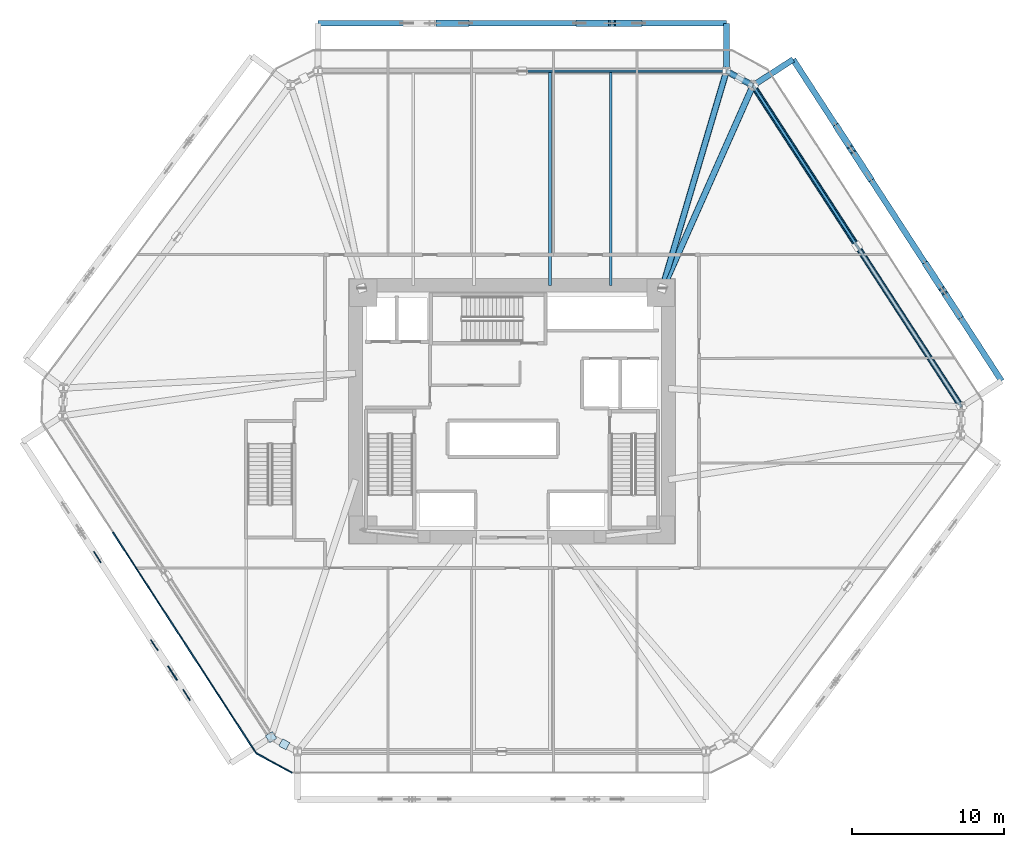
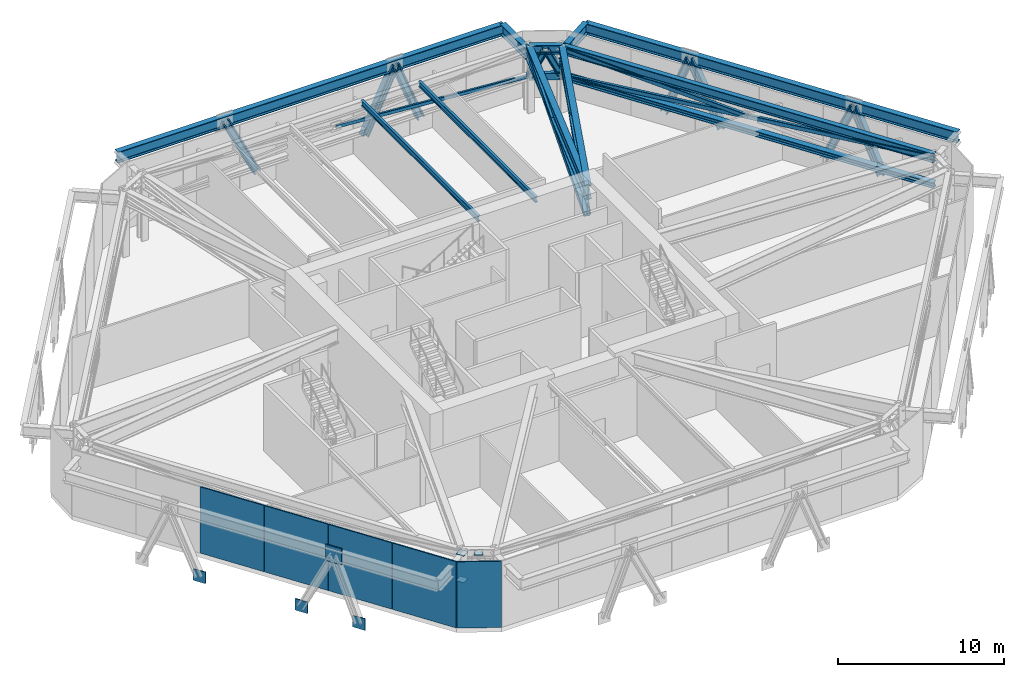
# One storey, part 4 of 16: 16 members, 12 plates, 10 beams.
"""IFC4 building model written with IfcOpenShell, lengths in metres."""

from ifc_helpers import new_model, si_unit, direction, frame, origin, origin_2d, place, context, subcontext, project, spatial, rectangle, hollow_rectangle, hollow_circle, i_section, extrude, source, transform, mapped, material, layer, layer_set, material_profile, profile_set, type_object, type_shapes, element, save


model = new_model("IFC4")

# Units and contexts
model_context = context("Model", 3, precision=1e-05, world=origin(), true_north=direction((0.0, 1.0)))
body_context = subcontext(model_context, "Body", "Model", "MODEL_VIEW")
ifc_project = project(units=[si_unit("LENGTHUNIT", "METRE"), si_unit("AREAUNIT", "SQUARE_METRE"), si_unit("VOLUMEUNIT", "CUBIC_METRE"), si_unit("PLANEANGLEUNIT", "RADIAN"), si_unit("MASSUNIT", "GRAM", prefix="KILO")], contexts=[model_context])

# Site, building, storey
site_placement = place(None, origin())
site = spatial("IfcSite", under=ifc_project, at=site_placement, CompositionType="ELEMENT")
building_placement = place(site_placement, origin())
building = spatial("IfcBuilding", under=site, at=building_placement, Name="Durnholm Broadcast Tower", CompositionType="ELEMENT")
storey_placement = place(building_placement, frame((0.0, 0.0, 10.39990234375)))
storey = spatial("IfcBuildingStorey", under=building, at=storey_placement, Name="L02", CompositionType="ELEMENT", Elevation=10.39990234375)

# Beams
ifc_material_1 = material(Name="Steel ASTM A992 Grade 50", Category="steel")
ifc_material_profile_1 = material_profile(ifc_material_1, i_section(OverallWidth=0.3330078125, OverallDepth=0.660888671875, WebThickness=0.0244140625, FlangeThickness=0.0439453125, FilletRadius=0.02783203125, at=origin_2d()), Name="W24X229")
ifc_profile_set_1 = profile_set([ifc_material_profile_1], Name="Steel ASTM A992 Grade 50")
beam_type_1 = type_object("IfcBeamType", Name="STL-SP-W24X229", PredefinedType="SPANDREL", material=ifc_profile_set_1)
shared_shape_1 = source(origin(), body_context, "Body", "SweptSolid", [
    extrude(i_section(OverallWidth=0.3330078125, OverallDepth=0.660888671875, WebThickness=0.0244140625, FlangeThickness=0.0439453125, FilletRadius=0.02783203125, at=origin_2d()), origin(), (0.0, 0.0, 1.0), 25.22265625),
])
beam_1_placement = place(storey_placement, frame((15.866455078125, 21.45068359375, 4.53466796875), z_axis=(0.544117081794, -0.839009297505, 0.0), x_axis=(0.839009297505, 0.544117081794, 0.0)))
element("IfcBeam", 1, at=beam_1_placement, inside=storey, type_object=beam_type_1, Name="L02 perimeter spandrel girder 07", PredefinedType="SPANDREL", context=body_context, shape_type="MappedRepresentation", body=[
    mapped(shared_shape_1, transform((0.0, 0.0, 0.0), x_axis=(1.0, 0.0, 0.0), y_axis=(0.0, 1.0, 0.0), z_axis=(0.0, 0.0, 1.0), scale=1.0)),
])
shared_shape_2 = source(origin(), body_context, "Body", "SweptSolid", [
    extrude(i_section(OverallWidth=0.3330078125, OverallDepth=0.660888671875, WebThickness=0.0244140625, FlangeThickness=0.0439453125, FilletRadius=0.02783203125, at=origin_2d()), origin(), (0.0, 0.0, 1.0), 1.98828125),
])
type_shapes(beam_type_1, [shared_shape_1, shared_shape_2])
beam_2_placement = place(storey_placement, frame((14.119384765625, 22.39990234375, 4.53466796875), z_axis=(0.878682739647, -0.477406161508, 0.0), x_axis=(0.477406161508, 0.878682739647, 0.0)))
element("IfcBeam", 2, at=beam_2_placement, inside=storey, type_object=beam_type_1, Name="L02 perimeter spandrel girder 06", PredefinedType="SPANDREL", context=body_context, shape_type="MappedRepresentation", body=[
    mapped(shared_shape_2, transform((0.0, 0.0, 0.0), x_axis=(1.0, 0.0, 0.0), y_axis=(0.0, 1.0, 0.0), z_axis=(0.0, 0.0, 1.0), scale=1.0)),
])
ifc_material_profile_2 = material_profile(ifc_material_1, i_section(OverallWidth=0.412109375, OverallDepth=1.048095703125, WebThickness=0.033935546875, FlangeThickness=0.059814453125, FilletRadius=0.04052734375, at=origin_2d()), Name="W40X431")
ifc_profile_set_2 = profile_set([ifc_material_profile_2], Name="Steel ASTM A992 Grade 50")
beam_type_2 = type_object("IfcBeamType", Name="STL-TG-W40X431", PredefinedType="USERDEFINED", material=ifc_profile_set_2)
shared_shape_3 = source(origin(), body_context, "Body", "SweptSolid", [
    extrude(i_section(OverallWidth=0.412109375, OverallDepth=1.048095703125, WebThickness=0.033935546875, FlangeThickness=0.059814453125, FilletRadius=0.04052734375, at=origin_2d()), origin(), (0.0, 0.0, 1.0), 15.225341796875),
])
beam_3_placement = place(storey_placement, frame((9.800048828125, 7.800048828125, 4.341064453125), z_axis=(0.283693029157, 0.958915150161, 0.0), x_axis=(-0.958915150161, 0.283693029157, 0.0)))
element("IfcBeam", 3, at=beam_3_placement, inside=storey, type_object=beam_type_2, Name="L02 radial primary floor girder 06", ObjectType="GIRDER", PredefinedType="USERDEFINED", context=body_context, shape_type="MappedRepresentation", body=[
    mapped(shared_shape_3, transform((0.0, 0.0, 0.0), x_axis=(1.0, 0.0, 0.0), y_axis=(0.0, 1.0, 0.0), z_axis=(0.0, 0.0, 1.0), scale=1.0)),
])
shared_shape_4 = source(origin(), body_context, "Body", "SweptSolid", [
    extrude(i_section(OverallWidth=0.412109375, OverallDepth=1.048095703125, WebThickness=0.033935546875, FlangeThickness=0.059814453125, FilletRadius=0.04052734375, at=origin_2d()), origin(), (0.0, 0.0, 1.0), 14.93798828125),
])
type_shapes(beam_type_2, [shared_shape_3, shared_shape_4])
beam_4_placement = place(storey_placement, frame((9.800048828125, 7.800048828125, 4.341064453125), z_axis=(0.406108137323, 0.913825027453, 0.0), x_axis=(-0.913825027453, 0.406108137323, 0.0)))
element("IfcBeam", 4, at=beam_4_placement, inside=storey, type_object=beam_type_2, Name="L02 radial primary floor girder 07", ObjectType="GIRDER", PredefinedType="USERDEFINED", context=body_context, shape_type="MappedRepresentation", body=[
    mapped(shared_shape_4, transform((0.0, 0.0, 0.0), x_axis=(1.0, 0.0, 0.0), y_axis=(0.0, 1.0, 0.0), z_axis=(0.0, 0.0, 1.0), scale=1.0)),
])
ifc_material_profile_3 = material_profile(ifc_material_1, i_section(OverallWidth=0.180908203125, OverallDepth=0.417236328125, WebThickness=0.010986328125, FlangeThickness=0.018310546875, FilletRadius=0.01904296875, at=origin_2d()), Name="W16X57")
ifc_profile_set_3 = profile_set([ifc_material_profile_3], Name="Steel ASTM A992 Grade 50")
beam_type_3 = type_object("IfcBeamType", Name="STL-BJ-W16X57", PredefinedType="JOIST", material=ifc_profile_set_3)
shared_shape_5 = source(origin(), body_context, "Body", "SweptSolid", [
    extrude(i_section(OverallWidth=0.180908203125, OverallDepth=0.417236328125, WebThickness=0.010986328125, FlangeThickness=0.018310546875, FilletRadius=0.01904296875, at=origin_2d()), origin(), (0.0, 0.0, 1.0), 14.099853515625),
])
type_shapes(beam_type_3, [shared_shape_5])
for number, where, z_axis, x_axis, name in (
    (5, (2.5, 8.300048828125, 4.656494140625), (0.0, 1.0, 0.0), (-1.0, 0.0, 0.0), "L02 secondary floor joist 6.2"),
    (6, (6.5, 8.300048828125, 4.656494140625), (0.0, 1.0, 0.0), (-1.0, 0.0, 0.0), "L02 secondary floor joist 7.2"),
):
    element("IfcBeam", number, at=place(storey_placement, frame(where, z_axis=z_axis, x_axis=x_axis)), inside=storey, type_object=beam_type_3, Name=name, PredefinedType="JOIST", context=body_context, shape_type="MappedRepresentation", body=[
        mapped(shared_shape_5, transform((0.0, 0.0, 0.0), x_axis=(1.0, 0.0, 0.0), y_axis=(0.0, 1.0, 0.0), z_axis=(0.0, 0.0, 1.0), scale=1.0)),
    ])

# Members
ifc_material_profile_4 = material_profile(ifc_material_1, i_section(OverallWidth=0.4013671875, OverallDepth=0.3994140625, WebThickness=0.02490234375, FlangeThickness=0.03955078125, FilletRadius=0.030517578125, at=origin_2d()), Name="W14X211")
ifc_profile_set_4 = profile_set([ifc_material_profile_4], Name="Steel ASTM A992 Grade 50")
member_type_1 = type_object("IfcMemberType", Name="STL-TC-W14X211", PredefinedType="CHORD", material=ifc_profile_set_4)
shared_shape_6 = source(origin(), body_context, "Body", "SweptSolid", [
    extrude(i_section(OverallWidth=0.4013671875, OverallDepth=0.3994140625, WebThickness=0.02490234375, FlangeThickness=0.03955078125, FilletRadius=0.030517578125, at=origin_2d()), origin(), (0.0, 0.0, 1.0), 25.22265625),
])
type_shapes(member_type_1, [shared_shape_6])
member_1_placement = place(storey_placement, frame((15.866455078125, 21.45068359375, 2.550048828125), z_axis=(0.544117081794, -0.839009297505, 0.0), x_axis=(0.839009297505, 0.544117081794, 0.0)))
element("IfcMember", 7, at=member_1_placement, inside=storey, type_object=member_type_1, Name="L02 perimeter belt-truss bottom chord 07", PredefinedType="CHORD", context=body_context, shape_type="MappedRepresentation", body=[
    mapped(shared_shape_6, transform((0.0, 0.0, 0.0), x_axis=(1.0, 0.0, 0.0), y_axis=(0.0, 1.0, 0.0), z_axis=(0.0, 0.0, 1.0), scale=1.0)),
])
ifc_material_2 = material(Name="Steel ASTM A500 Grade C", Category="steel")
ifc_material_profile_5 = material_profile(ifc_material_2, hollow_rectangle(XDim=0.203125, YDim=0.3046875, WallThickness=0.01171875, InnerFilletRadius=0.017578125, OuterFilletRadius=0.029541015625, at=origin_2d()), Name="HSS12X8X1/2")
ifc_profile_set_5 = profile_set([ifc_material_profile_5], Name="Steel ASTM A500 Grade C")
member_type_2 = type_object("IfcMemberType", Name="STL-TB-HSS12X8", PredefinedType="BRACE", material=ifc_profile_set_5)
shared_shape_7 = source(origin(), body_context, "Body", "SweptSolid", [
    extrude(hollow_rectangle(XDim=0.203125, YDim=0.3046875, WallThickness=0.01171875, InnerFilletRadius=0.017578125, OuterFilletRadius=0.029541015625, at=origin_2d()), origin(), (0.0, 0.0, 1.0), 25.30029296875),
])
member_2_placement = place(storey_placement, frame((15.866455078125, 21.45068359375, 2.550048828125), z_axis=(0.542448304828, -0.836436102439, 0.078259076959), x_axis=(0.839009297505, 0.544117081794, 0.0)))
element("IfcMember", 8, at=member_2_placement, inside=storey, type_object=member_type_2, Name="L02 belt-truss continuous X-diagonal brace 07", PredefinedType="BRACE", context=body_context, shape_type="MappedRepresentation", body=[
    mapped(shared_shape_7, transform((0.0, 0.0, 0.0), x_axis=(1.0, 0.0, 0.0), y_axis=(0.0, 1.0, 0.0), z_axis=(0.0, 0.0, 1.0), scale=1.0)),
])
shared_shape_8 = source(origin(), body_context, "Body", "SweptSolid", [
    extrude(hollow_rectangle(XDim=0.203125, YDim=0.3046875, WallThickness=0.01171875, InnerFilletRadius=0.017578125, OuterFilletRadius=0.029541015625, at=origin_2d()), origin(), (0.0, 0.0, 1.0), 12.650146484375),
])
type_shapes(member_type_2, [shared_shape_7, shared_shape_8])
member_3_placement = place(storey_placement, frame((22.728515625, 10.86962890625, 3.5400390625), z_axis=(-0.542448304828, 0.836436102439, 0.078259076959), x_axis=(-0.839009297505, -0.544117081794, 0.0)))
element("IfcMember", 9, at=member_3_placement, inside=storey, type_object=member_type_2, Name="L02 belt-truss split X-diagonal segment 07.2", PredefinedType="BRACE", context=body_context, shape_type="MappedRepresentation", body=[
    mapped(shared_shape_8, transform((0.0, 0.0, 0.0), x_axis=(1.0, 0.0, 0.0), y_axis=(0.0, 1.0, 0.0), z_axis=(0.0, 0.0, 1.0), scale=1.0)),
])
ifc_material_profile_6 = material_profile(ifc_material_2, hollow_rectangle(XDim=0.15234375, YDim=0.25390625, WallThickness=0.0087890625, InnerFilletRadius=0.013427734375, OuterFilletRadius=0.022216796875, at=origin_2d()), Name="HSS10X6X3/8")
ifc_profile_set_6 = profile_set([ifc_material_profile_6], Name="Steel ASTM A500 Grade C")
member_type_3 = type_object("IfcMemberType", Name="STL-TB-HSS10X6", PredefinedType="BRACE", material=ifc_profile_set_6)
shared_shape_9 = source(origin(), body_context, "Body", "SweptSolid", [
    extrude(hollow_rectangle(XDim=0.15234375, YDim=0.25390625, WallThickness=0.0087890625, InnerFilletRadius=0.013427734375, OuterFilletRadius=0.022216796875, at=origin_2d()), origin(), (0.0, 0.0, 1.0), 13.482177734375),
])
type_shapes(member_type_3, [shared_shape_9])
member_4_placement = place(storey_placement, frame((14.119384765625, 22.39990234375, 2.550048828125), z_axis=(-0.99730041452, 0.0, 0.073429443674), x_axis=(0.0, -1.0, 0.0)))
element("IfcMember", 10, at=member_4_placement, inside=storey, type_object=member_type_3, Name="L02 belt-truss split X-diagonal segment 05.1", PredefinedType="BRACE", context=body_context, shape_type="MappedRepresentation", body=[
    mapped(shared_shape_9, transform((0.0, 0.0, 0.0), x_axis=(1.0, 0.0, 0.0), y_axis=(0.0, 1.0, 0.0), z_axis=(0.0, 0.0, 1.0), scale=1.0)),
])
ifc_material_profile_7 = material_profile(ifc_material_2, hollow_rectangle(XDim=0.3046875, YDim=0.508056640625, WallThickness=0.014892578125, InnerFilletRadius=0.022216796875, OuterFilletRadius=0.037109375, at=origin_2d()), Name="HSS20X12X5/8")
ifc_profile_set_7 = profile_set([ifc_material_profile_7], Name="Steel ASTM A500 Grade C")
member_type_4 = type_object("IfcMemberType", Name="STL-TC-HSS20X12", PredefinedType="CHORD", material=ifc_profile_set_7)
shared_shape_10 = source(origin(), body_context, "Body", "SweptSolid", [
    extrude(hollow_rectangle(XDim=0.3046875, YDim=0.508056640625, WallThickness=0.014892578125, InnerFilletRadius=0.022216796875, OuterFilletRadius=0.037109375, at=origin_2d()), origin(), (0.0, 0.0, 1.0), 1.98828125),
])
type_shapes(member_type_4, [shared_shape_10])
member_5_placement = place(storey_placement, frame((14.119384765625, 22.39990234375, 2.550048828125), z_axis=(0.878682739647, -0.477406161508, 0.0), x_axis=(0.477406161508, 0.878682739647, 0.0)))
element("IfcMember", 11, at=member_5_placement, inside=storey, type_object=member_type_4, Name="L02 perimeter belt-truss bottom chord 06", PredefinedType="CHORD", context=body_context, shape_type="MappedRepresentation", body=[
    mapped(shared_shape_10, transform((0.0, 0.0, 0.0), x_axis=(1.0, 0.0, 0.0), y_axis=(0.0, 1.0, 0.0), z_axis=(0.0, 0.0, 1.0), scale=1.0)),
])
ifc_material_3 = material(Name="Steel ASTM A913 Grade 65", Category="steel")
ifc_material_profile_8 = material_profile(ifc_material_3, i_section(OverallWidth=0.412109375, OverallDepth=0.434814453125, WebThickness=0.035888671875, FlangeThickness=0.057373046875, FilletRadius=0.030517578125, at=origin_2d()), Name="W14X311")
ifc_profile_set_8 = profile_set([ifc_material_profile_8], Name="Steel ASTM A913 Grade 65")
member_type_5 = type_object("IfcMemberType", Name="STL-DG-W14X311", PredefinedType="BRACE", material=ifc_profile_set_8)
shared_shape_11 = source(origin(), body_context, "Body", "SweptSolid", [
    extrude(i_section(OverallWidth=0.412109375, OverallDepth=0.434814453125, WebThickness=0.035888671875, FlangeThickness=0.057373046875, FilletRadius=0.030517578125, at=origin_2d()), origin(), (0.0, 0.0, 1.0), 2.215576171875),
])
type_shapes(member_type_5, [shared_shape_11])
for number, where, z_axis, x_axis, name in (
    (12, (14.119384765625, 22.39990234375, 2.550048828125), (0.394275490055, -0.214217873859, 0.893676418208), (0.477406161508, 0.878682739647, 0.0), "L02 belt-truss chevron brace 06.1"),
    (13, (15.866455078125, 21.45068359375, 2.550048828125), (-0.394275490055, 0.214217873859, 0.893676418208), (-0.477406161508, -0.878682739647, 0.0), "L02 belt-truss chevron brace 06.2"),
):
    element("IfcMember", number, at=place(storey_placement, frame(where, z_axis=z_axis, x_axis=x_axis)), inside=storey, type_object=member_type_5, Name=name, PredefinedType="BRACE", context=body_context, shape_type="MappedRepresentation", body=[
        mapped(shared_shape_11, transform((0.0, 0.0, 0.0), x_axis=(1.0, 0.0, 0.0), y_axis=(0.0, 1.0, 0.0), z_axis=(0.0, 0.0, 1.0), scale=1.0)),
    ])
ifc_material_profile_9 = material_profile(ifc_material_2, hollow_rectangle(XDim=0.406494140625, YDim=0.406494140625, WallThickness=0.014892578125, InnerFilletRadius=0.022216796875, OuterFilletRadius=0.037109375, at=origin_2d()), Name="HSS16X16X5/8")
ifc_profile_set_9 = profile_set([ifc_material_profile_9], Name="Steel ASTM A500 Grade C")
member_type_6 = type_object("IfcMemberType", Name="STL-OS-HSS16X16", PredefinedType="STRUT", material=ifc_profile_set_9)
shared_shape_12 = source(origin(), body_context, "Body", "SweptSolid", [
    extrude(hollow_rectangle(XDim=0.406494140625, YDim=0.406494140625, WallThickness=0.014892578125, InnerFilletRadius=0.022216796875, OuterFilletRadius=0.037109375, at=origin_2d()), origin(), (0.0, 0.0, 1.0), 15.036376953125),
])
type_shapes(member_type_6, [shared_shape_12])
member_6_placement = place(storey_placement, frame((9.890869140625, 8.10693359375, 2.550048828125), z_axis=(0.281220920293, 0.950565678846, 0.131680234617), x_axis=(-0.958915681271, 0.283691233937, 0.0)))
element("IfcMember", 14, at=member_6_placement, inside=storey, type_object=member_type_6, Name="L02 radial core-to-perimeter outrigger strut 06", PredefinedType="STRUT", context=body_context, shape_type="MappedRepresentation", body=[
    mapped(shared_shape_12, transform((0.0, 0.0, 0.0), x_axis=(1.0, 0.0, 0.0), y_axis=(0.0, 1.0, 0.0), z_axis=(0.0, 0.0, 1.0), scale=1.0)),
])
ifc_material_profile_10 = material_profile(ifc_material_2, hollow_circle(Radius=0.203125, WallThickness=0.01171875, at=origin_2d()), Name="HSS16.000X0.500")
ifc_profile_set_10 = profile_set([ifc_material_profile_10], Name="Steel ASTM A500 Grade C")
member_type_7 = type_object("IfcMemberType", Name="STL-OS-CHS16", PredefinedType="STRUT", material=ifc_profile_set_10)
shared_shape_13 = source(origin(), body_context, "Body", "SweptSolid", [
    extrude(hollow_circle(Radius=0.203125, WallThickness=0.01171875, at=origin_2d()), origin(), (0.0, 0.0, 1.0), 14.751708984375),
])
type_shapes(member_type_7, [shared_shape_13])
member_7_placement = place(storey_placement, frame((9.929931640625, 8.09228515625, 2.550048828125), z_axis=(0.402432752493, 0.905556443717, 0.134221484731), x_axis=(-0.913825322317, 0.406107473819, 0.0)))
element("IfcMember", 15, at=member_7_placement, inside=storey, type_object=member_type_7, Name="L02 radial core-to-perimeter outrigger strut 07", PredefinedType="STRUT", context=body_context, shape_type="MappedRepresentation", body=[
    mapped(shared_shape_13, transform((0.0, 0.0, 0.0), x_axis=(1.0, 0.0, 0.0), y_axis=(0.0, 1.0, 0.0), z_axis=(0.0, 0.0, 1.0), scale=1.0)),
])

# Beams
ifc_material_profile_11 = material_profile(ifc_material_1, i_section(OverallWidth=0.385009765625, OverallDepth=0.802978515625, WebThickness=0.023681640625, FlangeThickness=0.0419921875, FilletRadius=0.032958984375, at=origin_2d()), Name="W30X261")
ifc_profile_set_11 = profile_set([ifc_material_profile_11], Name="Steel ASTM A992 Grade 50")
beam_type_4 = type_object("IfcBeamType", Name="BM-EXO-TIE", PredefinedType="USERDEFINED", material=ifc_profile_set_11)
shared_shape_14 = source(origin(), body_context, "Body", "SweptSolid", [
    extrude(i_section(OverallWidth=0.385009765625, OverallDepth=0.802978515625, WebThickness=0.023681640625, FlangeThickness=0.0419921875, FilletRadius=0.032958984375, at=origin_2d()), origin(), (0.0, 0.0, 1.0), 3.024169921875),
])
for number, where, z_axis, x_axis, name in (
    (16, (15.97216796875, 21.519287109375, 4.128662109375), (0.839049936056, 0.544054413459, 0.0), (-0.544054413459, 0.839049936056, 0.0), "L02 exoskeleton stand-off tie bracket F3.2"),
    (17, (14.119384765625, 22.52587890625, 4.128662109375), (0.0, 1.0, 0.0), (-1.0, 0.0, 0.0), "L02 exoskeleton stand-off tie bracket F4.1"),
):
    element("IfcBeam", number, at=place(storey_placement, frame(where, z_axis=z_axis, x_axis=x_axis)), inside=storey, type_object=beam_type_4, Name=name, ObjectType="GIRDER", PredefinedType="USERDEFINED", context=body_context, shape_type="MappedRepresentation", body=[
        mapped(shared_shape_14, transform((0.0, 0.0, 0.0), x_axis=(1.0, 0.0, 0.0), y_axis=(0.0, 1.0, 0.0), z_axis=(0.0, 0.0, 1.0), scale=1.0)),
    ])
shared_shape_15 = source(origin(), body_context, "Body", "SweptSolid", [
    extrude(i_section(OverallWidth=0.385009765625, OverallDepth=0.802978515625, WebThickness=0.023681640625, FlangeThickness=0.0419921875, FilletRadius=0.032958984375, at=origin_2d()), origin(), (0.0, 0.0, 1.0), 26.891357421875),
])
beam_5_placement = place(storey_placement, frame((14.119384765625, 25.550048828125, 4.128662109375), z_axis=(-1.0, 0.0, 0.0), x_axis=(0.0, -1.0, 0.0)))
element("IfcBeam", 18, at=beam_5_placement, inside=storey, type_object=beam_type_4, Name="L02 exoskeleton collector spandrel F4", PredefinedType="SPANDREL", context=body_context, shape_type="MappedRepresentation", body=[
    mapped(shared_shape_15, transform((0.0, 0.0, 0.0), x_axis=(1.0, 0.0, 0.0), y_axis=(0.0, 1.0, 0.0), z_axis=(0.0, 0.0, 1.0), scale=1.0)),
])

# Members
ifc_material_profile_12 = material_profile(ifc_material_3, i_section(OverallWidth=0.43212890625, OverallDepth=0.497802734375, WebThickness=0.0556640625, FlangeThickness=0.0888671875, FilletRadius=0.030517578125, at=origin_2d()), Name="W14X500")
ifc_profile_set_12 = profile_set([ifc_material_profile_12], Name="Steel ASTM A913 Grade 65")
member_type_8 = type_object("IfcMemberType", Name="STL-DG-W14X500", PredefinedType="BRACE", material=ifc_profile_set_12)
shared_shape_16 = source(origin(), body_context, "Body", "SweptSolid", [
    extrude(i_section(OverallWidth=0.43212890625, OverallDepth=0.497802734375, WebThickness=0.0556640625, FlangeThickness=0.0888671875, FilletRadius=0.030517578125, at=origin_2d()), origin(), (0.0, 0.0, 1.0), 4.805908203125),
])
member_8_placement = place(storey_placement, frame((8.3330078125, 25.550048828125, -0.349853515625), z_axis=(-0.362720817248, 0.0, 0.931897853166), x_axis=(0.0, -1.0, 0.0)))
element("IfcMember", 19, at=member_8_placement, inside=storey, type_object=member_type_8, Name="L02 stand-off diagrid brace F4.D1.1", PredefinedType="BRACE", context=body_context, shape_type="MappedRepresentation", body=[
    mapped(shared_shape_16, transform((0.0, 0.0, 0.0), x_axis=(1.0, 0.0, 0.0), y_axis=(0.0, 1.0, 0.0), z_axis=(0.0, 0.0, 1.0), scale=1.0)),
])
shared_shape_17 = source(origin(), body_context, "Body", "SweptSolid", [
    extrude(i_section(OverallWidth=0.43212890625, OverallDepth=0.497802734375, WebThickness=0.0556640625, FlangeThickness=0.0888671875, FilletRadius=0.030517578125, at=origin_2d()), origin(), (0.0, 0.0, 1.0), 4.9658203125),
])
member_9_placement = place(storey_placement, frame((4.444580078125, 25.550048828125, -0.349853515625), z_axis=(0.432006889097, 0.0, 0.901870305406), x_axis=(0.0, 1.0, 0.0)))
element("IfcMember", 20, at=member_9_placement, inside=storey, type_object=member_type_8, Name="L02 stand-off diagrid brace F4.D1.2", PredefinedType="BRACE", context=body_context, shape_type="MappedRepresentation", body=[
    mapped(shared_shape_17, transform((0.0, 0.0, 0.0), x_axis=(1.0, 0.0, 0.0), y_axis=(0.0, 1.0, 0.0), z_axis=(0.0, 0.0, 1.0), scale=1.0)),
])
shared_shape_18 = source(origin(), body_context, "Body", "SweptSolid", [
    extrude(i_section(OverallWidth=0.43212890625, OverallDepth=0.497802734375, WebThickness=0.0556640625, FlangeThickness=0.0888671875, FilletRadius=0.030517578125, at=origin_2d()), origin(), (0.0, 0.0, 1.0), 4.990234375),
])
member_10_placement = place(storey_placement, frame((-3.041259765625, 25.550048828125, -0.349853515625), z_axis=(-0.441097478305, 0.0, 0.897459199425), x_axis=(0.0, -1.0, 0.0)))
element("IfcMember", 21, at=member_10_placement, inside=storey, type_object=member_type_8, Name="L02 stand-off diagrid brace F4.D2.1", PredefinedType="BRACE", context=body_context, shape_type="MappedRepresentation", body=[
    mapped(shared_shape_18, transform((0.0, 0.0, 0.0), x_axis=(1.0, 0.0, 0.0), y_axis=(0.0, 1.0, 0.0), z_axis=(0.0, 0.0, 1.0), scale=1.0)),
])

# Beam
shared_shape_19 = source(origin(), body_context, "Body", "SweptSolid", [
    extrude(i_section(OverallWidth=0.385009765625, OverallDepth=0.802978515625, WebThickness=0.023681640625, FlangeThickness=0.0419921875, FilletRadius=0.032958984375, at=origin_2d()), origin(), (0.0, 0.0, 1.0), 25.222412109375),
])
type_shapes(beam_type_4, [shared_shape_14, shared_shape_15, shared_shape_19])
beam_6_placement = place(storey_placement, frame((32.2333984375, 2.002685546875, 4.128662109375), z_axis=(-0.544114686912, 0.839010850637, 0.0), x_axis=(-0.839010850637, -0.544114686912, 0.0)))
element("IfcBeam", 22, at=beam_6_placement, inside=storey, type_object=beam_type_4, Name="L02 exoskeleton collector spandrel F3", PredefinedType="SPANDREL", context=body_context, shape_type="MappedRepresentation", body=[
    mapped(shared_shape_19, transform((0.0, 0.0, 0.0), x_axis=(1.0, 0.0, 0.0), y_axis=(0.0, 1.0, 0.0), z_axis=(0.0, 0.0, 1.0), scale=1.0)),
])

# Members
shared_shape_20 = source(origin(), body_context, "Body", "SweptSolid", [
    extrude(i_section(OverallWidth=0.43212890625, OverallDepth=0.497802734375, WebThickness=0.0556640625, FlangeThickness=0.0888671875, FilletRadius=0.030517578125, at=origin_2d()), origin(), (0.0, 0.0, 1.0), 4.862060546875),
])
member_11_placement = place(storey_placement, frame((29.42041015625, 6.340087890625, -0.349853515625), z_axis=(-0.211803181058, 0.326592671789, 0.921127916865), x_axis=(-0.839009036615, -0.544117484078, 0.0)))
element("IfcMember", 23, at=member_11_placement, inside=storey, type_object=member_type_8, Name="L02 stand-off diagrid brace F3.D1.1", PredefinedType="BRACE", context=body_context, shape_type="MappedRepresentation", body=[
    mapped(shared_shape_20, transform((0.0, 0.0, 0.0), x_axis=(1.0, 0.0, 0.0), y_axis=(0.0, 1.0, 0.0), z_axis=(0.0, 0.0, 1.0), scale=1.0)),
])
shared_shape_21 = source(origin(), body_context, "Body", "SweptSolid", [
    extrude(i_section(OverallWidth=0.43212890625, OverallDepth=0.497802734375, WebThickness=0.0556640625, FlangeThickness=0.0888671875, FilletRadius=0.030517578125, at=origin_2d()), origin(), (0.0, 0.0, 1.0), 4.903076171875),
])
member_12_placement = place(storey_placement, frame((27.3046875, 9.6025390625, -0.349853515625), z_axis=(0.221479198282, -0.34153008566, 0.913402520972), x_axis=(0.839021657817, 0.544098022156, 0.0)))
element("IfcMember", 24, at=member_12_placement, inside=storey, type_object=member_type_8, Name="L02 stand-off diagrid brace F3.D1.2", PredefinedType="BRACE", context=body_context, shape_type="MappedRepresentation", body=[
    mapped(shared_shape_21, transform((0.0, 0.0, 0.0), x_axis=(1.0, 0.0, 0.0), y_axis=(0.0, 1.0, 0.0), z_axis=(0.0, 0.0, 1.0), scale=1.0)),
])
shared_shape_22 = source(origin(), body_context, "Body", "SweptSolid", [
    extrude(i_section(OverallWidth=0.43212890625, OverallDepth=0.497802734375, WebThickness=0.0556640625, FlangeThickness=0.0888671875, FilletRadius=0.030517578125, at=origin_2d()), origin(), (0.0, 0.0, 1.0), 4.983154296875),
])
member_13_placement = place(storey_placement, frame((23.541015625, 15.40576171875, -0.349853515625), z_axis=(-0.238593852699, 0.367934257448, 0.898719842693), x_axis=(-0.839030208873, -0.544084835847, 0.0)))
element("IfcMember", 25, at=member_13_placement, inside=storey, type_object=member_type_8, Name="L02 stand-off diagrid brace F3.D2.1", PredefinedType="BRACE", context=body_context, shape_type="MappedRepresentation", body=[
    mapped(shared_shape_22, transform((0.0, 0.0, 0.0), x_axis=(1.0, 0.0, 0.0), y_axis=(0.0, 1.0, 0.0), z_axis=(0.0, 0.0, 1.0), scale=1.0)),
])
shared_shape_23 = source(origin(), body_context, "Body", "SweptSolid", [
    extrude(i_section(OverallWidth=0.43212890625, OverallDepth=0.497802734375, WebThickness=0.0556640625, FlangeThickness=0.0888671875, FilletRadius=0.030517578125, at=origin_2d()), origin(), (0.0, 0.0, 1.0), 4.79150390625),
])
type_shapes(member_type_8, [shared_shape_16, shared_shape_17, shared_shape_18, shared_shape_20, shared_shape_21, shared_shape_22, shared_shape_23])
member_14_placement = place(storey_placement, frame((21.42529296875, 18.668212890625, -0.349853515625), z_axis=(0.193419485829, -0.298230835237, 0.934691003175), x_axis=(0.838996660816, 0.544136566625, 0.0)))
element("IfcMember", 26, at=member_14_placement, inside=storey, type_object=member_type_8, Name="L02 stand-off diagrid brace F3.D2.2", PredefinedType="BRACE", context=body_context, shape_type="MappedRepresentation", body=[
    mapped(shared_shape_23, transform((0.0, 0.0, 0.0), x_axis=(1.0, 0.0, 0.0), y_axis=(0.0, 1.0, 0.0), z_axis=(0.0, 0.0, 1.0), scale=1.0)),
])

# Plates
ifc_material_4 = material(Name="Steel ASTM A572 Grade 50", Category="steel")
ifc_layer_1 = layer(ifc_material_4, 0.0400390625)
ifc_layer_set_1 = layer_set([ifc_layer_1], Name="Steel ASTM A572 Grade 50")
plate_type_1 = type_object("IfcPlateType", Name="PLT-KN-CAP", PredefinedType="USERDEFINED", material=ifc_layer_set_1)
shared_shape_24 = source(origin(), body_context, "Body", "SweptSolid", [
    extrude(rectangle(XDim=0.5400390625, YDim=0.5400390625, at=origin_2d()), origin(), (0.0, 0.0, 1.0), 0.0400390625),
])
type_shapes(plate_type_1, [shared_shape_24])
for number, where, z_axis, x_axis, name in (
    (27, (-15.866455078125, -21.45068359375, 2.530029296875), (0.0, 0.0, 1.0), (-0.544053399827, 0.839050593311, 0.0), "L02 hollow section end cap plate BT-CH-L02-01 1"),
    (28, (-15.866455078125, -21.45068359375, 4.510009765625), (0.0, 0.0, 1.0), (0.544053399827, -0.839050593311, 0.0), "L02 hollow section end cap plate BT-XSPLIT-L02-01-2 2"),
    (29, (-14.992919921875, -21.92529296875, 4.510009765625), (0.0, 0.0, 1.0), (-0.878650499296, 0.477465496226, 0.0), "L02 hollow section end cap plate BT-BR-L02-12-1 2"),
):
    element("IfcPlate", number, at=place(storey_placement, frame(where, z_axis=z_axis, x_axis=x_axis)), inside=storey, type_object=plate_type_1, Name=name, ObjectType="CAP_PLATE", PredefinedType="USERDEFINED", context=body_context, shape_type="MappedRepresentation", body=[
        mapped(shared_shape_24, transform((0.0, 0.0, 0.0), x_axis=(1.0, 0.0, 0.0), y_axis=(0.0, 1.0, 0.0), z_axis=(0.0, 0.0, 1.0), scale=1.0)),
    ])
ifc_layer_2 = layer(ifc_material_4, 0.080078125)
ifc_layer_set_2 = layer_set([ifc_layer_2], Name="Steel ASTM A572 Grade 50")
plate_type_2 = type_object("IfcPlateType", Name="PLT-KN02-GUS", PredefinedType="USERDEFINED", material=ifc_layer_set_2)
shared_shape_25 = source(origin(), body_context, "Body", "SweptSolid", [
    extrude(rectangle(XDim=0.85009765625, YDim=0.06005859375, at=origin_2d()), origin(), (0.0, 0.0, 1.0), 0.85009765625),
])
for number, where, z_axis, x_axis, name in (
    (30, (-27.3046875, -9.6025390625, -0.77490234375), (0.0, 0.0, 1.0), (0.544053399827, -0.839050593311, 0.0), "L02 pilotis-to-diagrid base gusset plate F6.D1.2"),
    (31, (-23.541015625, -15.40576171875, -0.77490234375), (0.0, 0.0, 1.0), (0.544053399827, -0.839050593311, 0.0), "L02 pilotis-to-diagrid base gusset plate F6.D2.1"),
    (32, (-21.42529296875, -18.668212890625, -0.77490234375), (0.0, 0.0, 1.0), (0.544053399827, -0.839050593311, 0.0), "L02 pilotis-to-diagrid base gusset plate F6.D2.2"),
):
    element("IfcPlate", number, at=place(storey_placement, frame(where, z_axis=z_axis, x_axis=x_axis)), inside=storey, type_object=plate_type_2, Name=name, ObjectType="GUSSET_PLATE", PredefinedType="USERDEFINED", context=body_context, shape_type="MappedRepresentation", body=[
        mapped(shared_shape_25, transform((0.0, 0.0, 0.0), x_axis=(1.0, 0.0, 0.0), y_axis=(0.0, 1.0, 0.0), z_axis=(0.0, 0.0, 1.0), scale=1.0)),
    ])
shared_shape_26 = source(origin(), body_context, "Body", "SweptSolid", [
    extrude(rectangle(XDim=1.10009765625, YDim=0.080078125, at=origin_2d()), origin(), (0.0, 0.0, 1.0), 1.199951171875),
])
type_shapes(plate_type_2, [shared_shape_25, shared_shape_26])
plate_1_placement = place(storey_placement, frame((-22.35205078125, -17.2392578125, 3.52880859375), z_axis=(0.0, 0.0, 1.0), x_axis=(0.544053399827, -0.839050593311, 0.0)))
element("IfcPlate", 33, at=plate_1_placement, inside=storey, type_object=plate_type_2, Name="L02 welded diagrid node gusset plate KN02 F6", ObjectType="GUSSET_PLATE", PredefinedType="USERDEFINED", context=body_context, shape_type="MappedRepresentation", body=[
    mapped(shared_shape_26, transform((0.0, 0.0, 0.0), x_axis=(1.0, 0.0, 0.0), y_axis=(0.0, 1.0, 0.0), z_axis=(0.0, 0.0, 1.0), scale=1.0)),
])
ifc_material_5 = material(Name="Anodised Architectural Aluminium Louvre Screen", Category="aluminium")
ifc_layer_3 = layer(ifc_material_5, 0.0849609375)
ifc_layer_set_3 = layer_set([ifc_layer_3], Name="Anodised Architectural Aluminium Louvre Screen")
plate_type_3 = type_object("IfcPlateType", Name="PLT-CROWN-SCR", PredefinedType="USERDEFINED", material=ifc_layer_set_3)
shared_shape_27 = source(origin(), body_context, "Body", "SweptSolid", [
    extrude(rectangle(XDim=2.679931640625, YDim=0.0849609375, at=origin_2d()), origin(), (0.0, 0.0, 1.0), 4.8798828125),
])
plate_2_placement = place(storey_placement, frame((-15.661376953125, -23.155517578125, 0.000244140625), z_axis=(0.0, 0.0, 1.0), x_axis=(-0.878650499296, 0.477465496226, 0.0)))
element("IfcPlate", 34, at=plate_2_placement, inside=storey, type_object=plate_type_3, Name="L02 mechanical louvre screen panel SCR-L02-F11.1", ObjectType="SCREEN", PredefinedType="USERDEFINED", context=body_context, shape_type="MappedRepresentation", body=[
    mapped(shared_shape_27, transform((0.0, 0.0, 0.0), x_axis=(1.0, 0.0, 0.0), y_axis=(0.0, 1.0, 0.0), z_axis=(0.0, 0.0, 1.0), scale=1.0)),
])
shared_shape_28 = source(origin(), body_context, "Body", "SweptSolid", [
    extrude(rectangle(XDim=4.31640625, YDim=0.0849609375, at=origin_2d()), origin(), (0.0, 0.0, 1.0), 4.8798828125),
])
type_shapes(plate_type_3, [shared_shape_27, shared_shape_28])
for number, where, z_axis, x_axis, name in (
    (35, (-18.027099609375, -20.69189453125, 0.000244140625), (0.0, 0.0, 1.0), (-0.544053399827, 0.839050593311, 0.0), "L02 mechanical louvre screen panel SCR-L02-F12.1"),
    (36, (-20.38671875, -17.053466796875, 0.000244140625), (0.0, 0.0, 1.0), (-0.544053399827, 0.839050593311, 0.0), "L02 mechanical louvre screen panel SCR-L02-F12.2"),
    (37, (-22.74609375, -13.415283203125, 0.000244140625), (0.0, 0.0, 1.0), (-0.544053399827, 0.839050593311, 0.0), "L02 mechanical louvre screen panel SCR-L02-F12.3"),
    (38, (-25.105712890625, -9.777099609375, 0.000244140625), (0.0, 0.0, 1.0), (-0.544053399827, 0.839050593311, 0.0), "L02 mechanical louvre screen panel SCR-L02-F12.4"),
):
    element("IfcPlate", number, at=place(storey_placement, frame(where, z_axis=z_axis, x_axis=x_axis)), inside=storey, type_object=plate_type_3, Name=name, ObjectType="SCREEN", PredefinedType="USERDEFINED", context=body_context, shape_type="MappedRepresentation", body=[
        mapped(shared_shape_28, transform((0.0, 0.0, 0.0), x_axis=(1.0, 0.0, 0.0), y_axis=(0.0, 1.0, 0.0), z_axis=(0.0, 0.0, 1.0), scale=1.0)),
    ])

save(model, "model.ifc")
